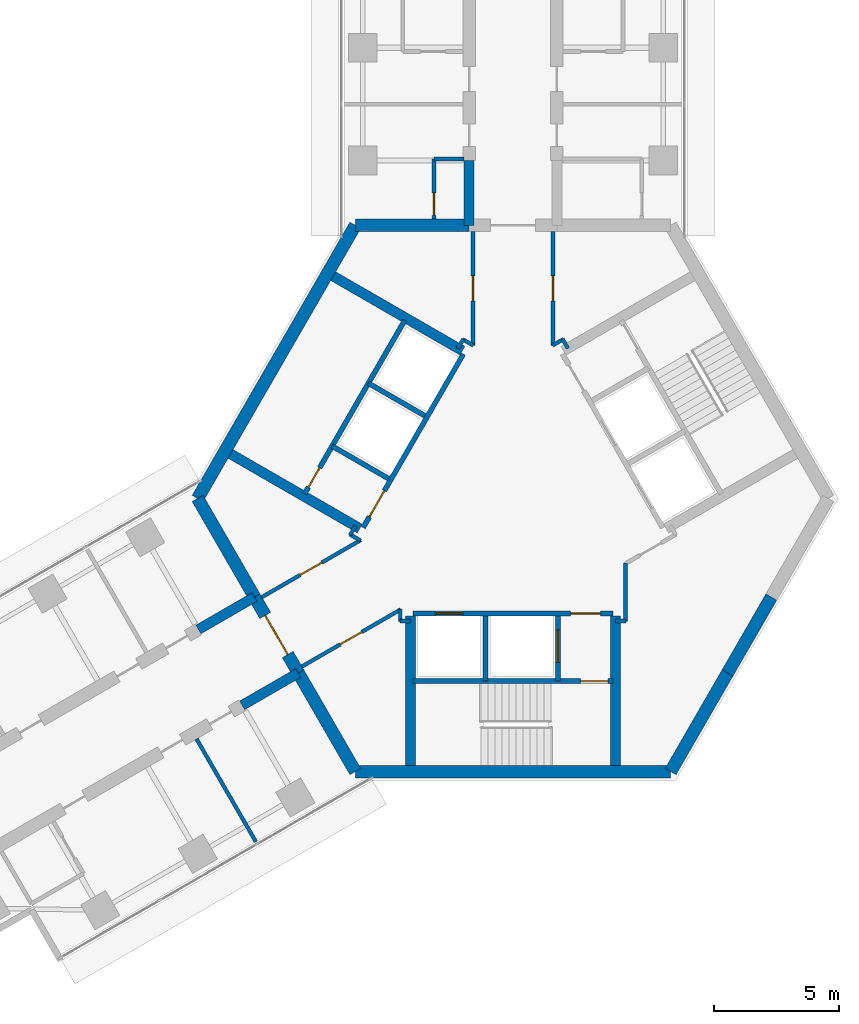
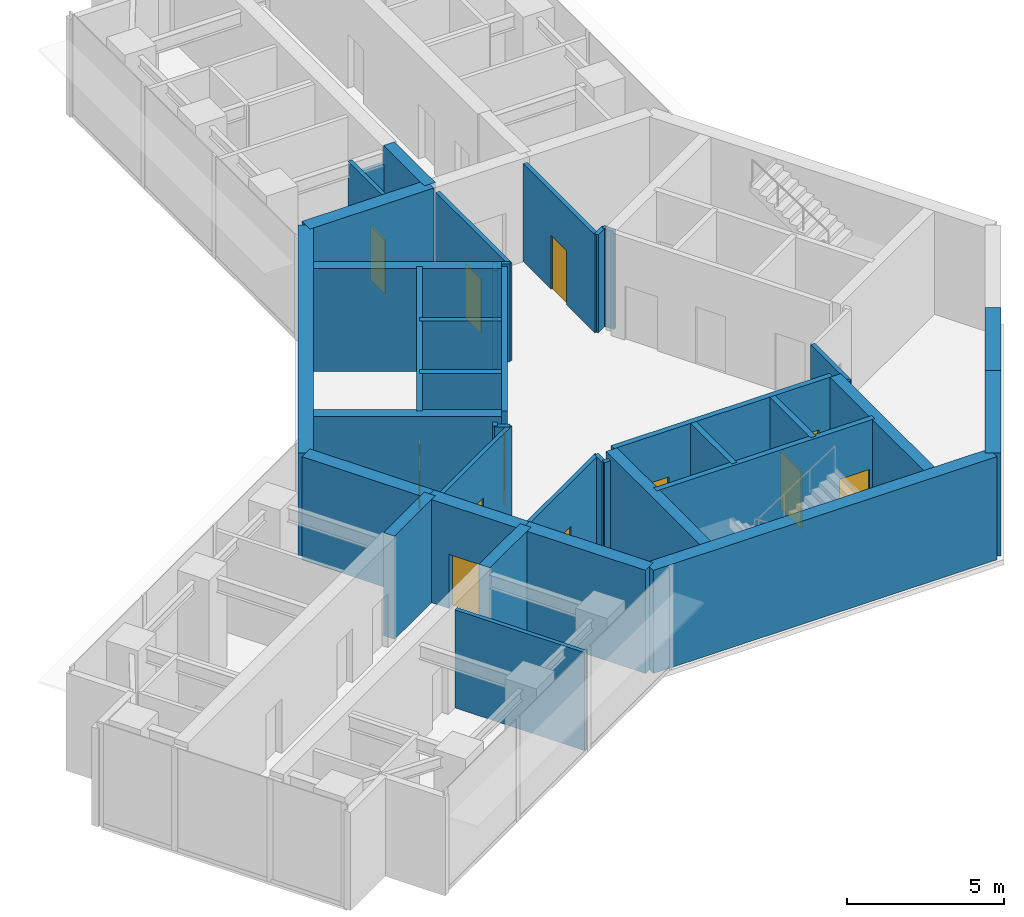
# One storey, part 14 of 17: 40 walls, 12 doors, 12 openings.
"""IFC4 building model written with IfcOpenShell, lengths in metres."""

from ifc_helpers import new_model, si_unit, direction, frame, frame_2d, origin, place, context, subcontext, project, spatial, rectangle, extrude, material, layer, layer_set, type_object, element, fill, save


model = new_model("IFC4")

# Units and contexts
model_context = context("Model", 3, precision=1e-05, world=origin(), true_north=direction((0.0, 1.0)))
body_context = subcontext(model_context, "Body", "Model", "MODEL_VIEW")
ifc_project = project(units=[si_unit("LENGTHUNIT", "METRE"), si_unit("AREAUNIT", "SQUARE_METRE"), si_unit("VOLUMEUNIT", "CUBIC_METRE"), si_unit("PLANEANGLEUNIT", "RADIAN"), si_unit("MASSUNIT", "GRAM", prefix="KILO")], contexts=[model_context])

# Site, building, storey
site_placement = place(None, origin())
site = spatial("IfcSite", under=ifc_project, at=site_placement, CompositionType="ELEMENT")
building_placement = place(site_placement, origin())
building = spatial("IfcBuilding", under=site, at=building_placement, Name="Upepo Twin Towers", CompositionType="ELEMENT")
storey_placement = place(building_placement, frame((0.0, 0.0, 198.5)))
storey = spatial("IfcBuildingStorey", under=building, at=storey_placement, Name="L48", CompositionType="ELEMENT", Elevation=198.5)

# Walls
ifc_material_1 = material(Name="Concrete C60/75", Category="concrete")
ifc_layer_1 = layer(ifc_material_1, 0.39990234375)
ifc_layer_set_1 = layer_set([ifc_layer_1], Name="Concrete C60/75")
wall_type_1 = type_object("IfcWallType", Name="Buttress wall 400 RC", PredefinedType="SHEAR", material=ifc_layer_set_1)
wall_1_placement = place(storey_placement, frame((56.75, -7.091552734375, 0.0), z_axis=(0.0, 0.0, 1.0), x_axis=(0.0, 1.0, 0.0)))
element("IfcWall", 1, at=wall_1_placement, inside=storey, type_object=wall_type_1, Name="T2 wing A buttress wall L", PredefinedType="SHEAR", context=body_context, shape_type="SweptSolid", body=[
    extrude(rectangle(XDim=2.591552734375, YDim=0.39990234375, at=frame_2d((1.2958984375, 0.0))), origin(), (0.0, 0.0, 1.0), 4.0),
])
for number, where, z_axis, x_axis, name in (
    (2, (49.92822265625, -24.9697265625, 0.0), (0.0, 0.0, 1.0), (-0.866031863473, -0.499988811324, 0.0), "T2 wing B buttress wall L"),
    (3, (48.17822265625, -21.938720703125, 0.0), (0.0, 0.0, 1.0), (-0.866072649678, -0.499918158782, 0.0), "T2 wing B buttress wall R"),
):
    element("IfcWall", number, at=place(storey_placement, frame(where, z_axis=z_axis, x_axis=x_axis)), inside=storey, type_object=wall_type_1, Name=name, PredefinedType="SHEAR", context=body_context, shape_type="SweptSolid", body=[
        extrude(rectangle(XDim=2.591796875, YDim=0.39990234375, at=frame_2d((1.2958984375, 0.0))), origin(), (0.0, 0.0, 1.0), 4.0),
    ])
ifc_material_2 = material(Name="Concrete C60/75", Category="concrete")
ifc_layer_2 = layer(ifc_material_2, 0.5)
ifc_layer_set_2 = layer_set([ifc_layer_2], Name="Concrete C60/75")
wall_type_2 = type_object("IfcWallType", Name="Core wall 500 RC", PredefinedType="SHEAR", material=ifc_layer_set_2)
wall_2_placement = place(storey_placement, frame((56.75, -7.091552734375, 0.0), z_axis=(0.0, 0.0, 1.0), x_axis=(-1.0, 0.0, 0.0)))
element("IfcWall", 4, at=wall_2_placement, inside=storey, type_object=wall_type_2, Name="T2 core wall 000 L", PredefinedType="SHEAR", context=body_context, shape_type="SweptSolid", body=[
    extrude(rectangle(XDim=4.5478515625, YDim=0.5, at=frame_2d((2.27392578125, 0.0))), origin(), (0.0, 0.0, 1.0), 4.0),
])
wall_3_placement = place(storey_placement, frame((52.2021484375, -7.091552734375, 0.0), z_axis=(0.0, 0.0, 1.0), x_axis=(-0.500005998175, -0.866021940709, 0.0)))
element("IfcWall", 5, at=wall_3_placement, inside=storey, type_object=wall_type_2, Name="T2 core wall 060", PredefinedType="SHEAR", context=body_context, shape_type="SweptSolid", body=[
    extrude(rectangle(XDim=12.595947265625, YDim=0.5, at=frame_2d((6.2978515625, 0.0))), origin(), (0.0, 0.0, 1.0), 4.0),
])
wall_4_placement = place(storey_placement, frame((45.904052734375, -18.0, 0.0), z_axis=(0.0, 0.0, 1.0), x_axis=(0.500024481964, -0.866011268655, 0.0)))
element("IfcWall", 6, at=wall_4_placement, inside=storey, type_object=wall_type_2, Name="T2 core wall 120 R", PredefinedType="SHEAR", context=body_context, shape_type="SweptSolid", body=[
    extrude(rectangle(XDim=4.548095703125, YDim=0.5, at=frame_2d((2.27392578125, 0.0))), origin(), (0.0, 0.0, 1.0), 4.0),
])

# Wall, opening, door
wall_5_placement = place(storey_placement, frame((48.17822265625, -21.938720703125, 0.0), z_axis=(0.0, 0.0, 1.0), x_axis=(0.500010275428, -0.866019471182, 0.0)))
wall_5 = element("IfcWall", 7, at=wall_5_placement, inside=storey, type_object=wall_type_2, Name="T2 core wall 120", PredefinedType="SHEAR", context=body_context, shape_type="SweptSolid", body=[
    extrude(rectangle(XDim=3.5, YDim=0.5, at=frame_2d((1.75, 0.0))), origin(), (0.0, 0.0, 1.0), 4.0),
])
opening_1_placement = place(wall_5_placement, frame((0.85009765625, 0.0, 0.0)))
opening_1 = element("IfcOpeningElement", 8, at=opening_1_placement, cuts=wall_5, Name="Opening D2", PredefinedType="OPENING", context=body_context, shape_type="SweptSolid", body=[
    extrude(rectangle(XDim=1.800048828125, YDim=2.10009765625, at=frame_2d((0.89990234375, 1.050048828125))), frame((0.0, 0.260009765625, 0.0), z_axis=(0.0, -1.0, 0.0), x_axis=(1.0, 0.0, 0.0)), (0.0, 0.0, 1.0), 0.52001953125),
])
ifc_material_3 = material(Name="Timber doorset", Category="wood")
door_type_1 = type_object("IfcDoorType", Name="Corridor double door 1800 FD60", OperationType="DOUBLE_DOOR_DOUBLE_SWING", PredefinedType="DOOR", material=ifc_material_3)
door_1_placement = place(opening_1_placement, origin())
door_1 = element("IfcDoor", 9, at=door_1_placement, inside=storey, type_object=door_type_1, Name="T2 L48 wing B corridor door", OperationType="DOUBLE_DOOR_DOUBLE_SWING", OverallHeight=2.10009765625, OverallWidth=1.800048828125, PredefinedType="DOOR", context=body_context, shape_type="SweptSolid", body=[
    extrude(rectangle(XDim=1.800048828125, YDim=2.10009765625, at=frame_2d((0.89990234375, 1.050048828125))), frame((0.0, 0.02490234375, 0.0), z_axis=(0.0, -1.0, 0.0), x_axis=(1.0, 0.0, 0.0)), (0.0, 0.0, 1.0), 0.050048828125),
])
fill(opening_1, door_1)

# Walls
wall_6_placement = place(storey_placement, frame((49.92822265625, -24.9697265625, 0.0), z_axis=(0.0, 0.0, 1.0), x_axis=(0.499984222037, -0.866034513004, 0.0)))
element("IfcWall", 10, at=wall_6_placement, inside=storey, type_object=wall_type_2, Name="T2 core wall 120 L", PredefinedType="SHEAR", context=body_context, shape_type="SweptSolid", body=[
    extrude(rectangle(XDim=4.548095703125, YDim=0.5, at=frame_2d((2.27392578125, 0.0))), origin(), (0.0, 0.0, 1.0), 4.0),
])
wall_7_placement = place(storey_placement, frame((52.2021484375, -28.908447265625, 0.0), z_axis=(0.0, 0.0, 1.0), x_axis=(1.0, 0.0, 0.0)))
element("IfcWall", 11, at=wall_7_placement, inside=storey, type_object=wall_type_2, Name="T2 core wall 180", PredefinedType="SHEAR", context=body_context, shape_type="SweptSolid", body=[
    extrude(rectangle(XDim=12.595703125, YDim=0.5, at=frame_2d((6.2978515625, 0.0))), origin(), (0.0, 0.0, 1.0), 4.0),
])
wall_8_placement = place(storey_placement, frame((64.7978515625, -28.908447265625, 0.0), z_axis=(0.0, 0.0, 1.0), x_axis=(0.499984222037, 0.866034513004, 0.0)))
element("IfcWall", 12, at=wall_8_placement, inside=storey, type_object=wall_type_2, Name="T2 core wall 240 R", PredefinedType="SHEAR", context=body_context, shape_type="SweptSolid", body=[
    extrude(rectangle(XDim=4.548095703125, YDim=0.5, at=frame_2d((2.27392578125, 0.0))), origin(), (0.0, 0.0, 1.0), 4.0),
])
wall_9_placement = place(storey_placement, frame((67.07177734375, -24.9697265625, 0.0), z_axis=(0.0, 0.0, 1.0), x_axis=(0.500010275428, 0.866019471182, 0.0)))
element("IfcWall", 13, at=wall_9_placement, inside=storey, type_object=wall_type_2, Name="T2 core wall 240", PredefinedType="SHEAR", context=body_context, shape_type="SweptSolid", body=[
    extrude(rectangle(XDim=3.5, YDim=0.5, at=frame_2d((1.75, 0.0))), origin(), (0.0, 0.0, 1.0), 4.0),
])

# Wall, opening, door
ifc_material_4 = material(Name="Concrete C40/50", Category="concrete")
ifc_layer_3 = layer(ifc_material_4, 0.199951171875)
ifc_layer_set_3 = layer_set([ifc_layer_3], Name="Concrete C40/50")
wall_type_3 = type_object("IfcWallType", Name="Shaft wall 200 RC", PredefinedType="SHEAR", material=ifc_layer_set_3)
wall_10_placement = place(storey_placement, frame((56.516357421875, -12.23583984375, 0.0), z_axis=(0.0, 0.0, 1.0), x_axis=(-0.49999894854, -0.866026010844, 0.0)))
wall_10 = element("IfcWall", 14, at=wall_10_placement, inside=storey, type_object=wall_type_3, Name="T2 core W60 front wall", PredefinedType="SHEAR", context=body_context, shape_type="SweptSolid", body=[
    extrude(rectangle(XDim=8.0, YDim=0.199951171875, at=frame_2d((4.0, 0.0))), origin(), (0.0, 0.0, 1.0), 4.0),
])
opening_2_placement = place(wall_10_placement, frame((6.300048828125, 0.0, 0.0)))
opening_2 = element("IfcOpeningElement", 15, at=opening_2_placement, cuts=wall_10, Name="Opening D4", PredefinedType="OPENING", context=body_context, shape_type="SweptSolid", body=[
    extrude(rectangle(XDim=1.199951171875, YDim=2.10009765625, at=frame_2d((0.60009765625, 1.050048828125))), frame((0.0, 0.10986328125, 0.0), z_axis=(0.0, -1.0, 0.0), x_axis=(1.0, 0.0, 0.0)), (0.0, 0.0, 1.0), 0.219970703125),
])
ifc_material_5 = material(Name="Timber doorset", Category="wood")
door_type_2 = type_object("IfcDoorType", Name="Lobby door 1200 FD60", OperationType="SINGLE_SWING_LEFT", PredefinedType="DOOR", material=ifc_material_5)
door_2_placement = place(opening_2_placement, origin())
door_2 = element("IfcDoor", 16, at=door_2_placement, inside=storey, type_object=door_type_2, Name="T2 L48 W60 lobby door", OperationType="SINGLE_SWING_RIGHT", OverallHeight=2.10009765625, OverallWidth=1.199951171875, PredefinedType="DOOR", context=body_context, shape_type="SweptSolid", body=[
    extrude(rectangle(XDim=1.199951171875, YDim=2.10009765625, at=frame_2d((0.60009765625, 1.050048828125))), frame((0.0, 0.02490234375, 0.0), z_axis=(0.0, -1.0, 0.0), x_axis=(1.0, 0.0, 0.0)), (0.0, 0.0, 1.0), 0.050048828125),
])
fill(opening_2, door_2)

# Walls
for number, where, z_axis, x_axis, name in (
    (17, (54.979736328125, -14.697265625, 0.0), (0.0, 0.0, 1.0), (-0.866062058628, 0.499936506574, 0.0), "T2 core W60 shaft divider"),
    (18, (53.52978515625, -17.208740234375, 0.0), (0.0, 0.0, 1.0), (-0.866062058628, 0.499936506574, 0.0), "T2 core W60 lobby wall"),
):
    element("IfcWall", number, at=place(storey_placement, frame(where, z_axis=z_axis, x_axis=x_axis)), inside=storey, type_object=wall_type_3, Name=name, PredefinedType="SHEAR", context=body_context, shape_type="SweptSolid", body=[
        extrude(rectangle(XDim=2.599853515625, YDim=0.199951171875, at=frame_2d((1.2998046875, 0.0))), origin(), (0.0, 0.0, 1.0), 4.0),
    ])

# Wall, opening, door
wall_11_placement = place(storey_placement, frame((54.177978515625, -10.885986328125, 0.0), z_axis=(0.0, 0.0, 1.0), x_axis=(-0.49999894854, -0.866026010844, 0.0)))
wall_11 = element("IfcWall", 19, at=wall_11_placement, inside=storey, type_object=wall_type_3, Name="T2 core W60 stair wall", PredefinedType="SHEAR", context=body_context, shape_type="SweptSolid", body=[
    extrude(rectangle(XDim=8.0, YDim=0.199951171875, at=frame_2d((4.0, 0.0))), origin(), (0.0, 0.0, 1.0), 4.0),
])
opening_3_placement = place(wall_11_placement, frame((6.800048828125, 0.0, 0.0)))
opening_3 = element("IfcOpeningElement", 20, at=opening_3_placement, cuts=wall_11, Name="Opening D9", PredefinedType="OPENING", context=body_context, shape_type="SweptSolid", body=[
    extrude(rectangle(XDim=0.89990234375, YDim=2.10009765625, at=frame_2d((0.449951171875, 1.050048828125))), frame((0.0, 0.10986328125, 0.0), z_axis=(0.0, -1.0, 0.0), x_axis=(1.0, 0.0, 0.0)), (0.0, 0.0, 1.0), 0.219970703125),
])
ifc_material_6 = material(Name="Timber doorset", Category="wood")
door_type_3 = type_object("IfcDoorType", Name="Riser door 900 FD60", OperationType="SINGLE_SWING_LEFT", PredefinedType="DOOR", material=ifc_material_6)
door_3_placement = place(opening_3_placement, origin())
door_3 = element("IfcDoor", 21, at=door_3_placement, inside=storey, type_object=door_type_3, Name="T2 L48 riser door", OperationType="SINGLE_SWING_RIGHT", OverallHeight=2.10009765625, OverallWidth=0.89990234375, PredefinedType="DOOR", context=body_context, shape_type="SweptSolid", body=[
    extrude(rectangle(XDim=0.89990234375, YDim=2.10009765625, at=frame_2d((0.449951171875, 1.050048828125))), frame((0.0, 0.02490234375, 0.0), z_axis=(0.0, -1.0, 0.0), x_axis=(1.0, 0.0, 0.0)), (0.0, 0.0, 1.0), 0.050048828125),
])
fill(opening_3, door_3)

# Wall, openings, doors
wall_12_placement = place(storey_placement, frame((54.5, -22.60009765625, 0.0), z_axis=(0.0, 0.0, 1.0), x_axis=(1.0, 0.0, 0.0)))
wall_12 = element("IfcWall", 22, at=wall_12_placement, inside=storey, type_object=wall_type_3, Name="T2 core W180 front wall", PredefinedType="SHEAR", context=body_context, shape_type="SweptSolid", body=[
    extrude(rectangle(XDim=8.0, YDim=0.199951171875, at=frame_2d((4.0, 0.0))), origin(), (0.0, 0.0, 1.0), 4.0),
])
opening_4_placement = place(wall_12_placement, frame((6.300048828125, 0.0, 0.0)))
opening_4 = element("IfcOpeningElement", 23, at=opening_4_placement, cuts=wall_12, Name="Opening D4", PredefinedType="OPENING", context=body_context, shape_type="SweptSolid", body=[
    extrude(rectangle(XDim=1.199951171875, YDim=2.10009765625, at=frame_2d((0.60009765625, 1.050048828125))), frame((0.0, 0.10986328125, 0.0), z_axis=(0.0, -1.0, 0.0), x_axis=(1.0, 0.0, 0.0)), (0.0, 0.0, 1.0), 0.219970703125),
])
opening_5_placement = place(wall_12_placement, frame((0.89990234375, 0.0, 0.0)))
opening_5 = element("IfcOpeningElement", 24, at=opening_5_placement, cuts=wall_12, Name="Opening LD1", PredefinedType="OPENING", context=body_context, shape_type="SweptSolid", body=[
    extrude(rectangle(XDim=1.10009765625, YDim=2.199951171875, at=frame_2d((0.550048828125, 1.10009765625))), frame((0.0, 0.10986328125, 0.0), z_axis=(0.0, -1.0, 0.0), x_axis=(1.0, 0.0, 0.0)), (0.0, 0.0, 1.0), 0.219970703125),
])
ifc_material_7 = material(Name="Steel doorset", Category="steel")
door_type_4 = type_object("IfcDoorType", Name="Lift landing door 1100", OperationType="DOUBLE_DOOR_SLIDING", PredefinedType="DOOR", material=ifc_material_7)
door_4_placement = place(opening_5_placement, origin())
door_4 = element("IfcDoor", 25, at=door_4_placement, inside=storey, type_object=door_type_4, Name="T2 L48 lift SV1 landing door", OperationType="DOUBLE_DOOR_SLIDING", OverallHeight=2.199951171875, OverallWidth=1.10009765625, PredefinedType="DOOR", context=body_context, shape_type="SweptSolid", body=[
    extrude(rectangle(XDim=1.10009765625, YDim=2.199951171875, at=frame_2d((0.550048828125, 1.10009765625))), frame((0.0, 0.02490234375, 0.0), z_axis=(0.0, -1.0, 0.0), x_axis=(1.0, 0.0, 0.0)), (0.0, 0.0, 1.0), 0.050048828125),
])
fill(opening_5, door_4)
door_5_placement = place(opening_4_placement, origin())
door_5 = element("IfcDoor", 26, at=door_5_placement, inside=storey, type_object=door_type_2, Name="T2 L48 W180 lobby door", OperationType="SINGLE_SWING_RIGHT", OverallHeight=2.10009765625, OverallWidth=1.199951171875, PredefinedType="DOOR", context=body_context, shape_type="SweptSolid", body=[
    extrude(rectangle(XDim=1.199951171875, YDim=2.10009765625, at=frame_2d((0.60009765625, 1.050048828125))), frame((0.0, 0.02490234375, 0.0), z_axis=(0.0, -1.0, 0.0), x_axis=(1.0, 0.0, 0.0)), (0.0, 0.0, 1.0), 0.050048828125),
])
fill(opening_4, door_5)

# Wall
wall_13_placement = place(storey_placement, frame((57.39990234375, -22.699951171875, 0.0), z_axis=(0.0, 0.0, 1.0), x_axis=(0.0, -1.0, 0.0)))
element("IfcWall", 27, at=wall_13_placement, inside=storey, type_object=wall_type_3, Name="T2 core W180 shaft divider", PredefinedType="SHEAR", context=body_context, shape_type="SweptSolid", body=[
    extrude(rectangle(XDim=2.60009765625, YDim=0.199951171875, at=frame_2d((1.300048828125, 0.0))), origin(), (0.0, 0.0, 1.0), 4.0),
])

# Wall, opening, door
wall_14_placement = place(storey_placement, frame((60.300048828125, -22.699951171875, 0.0), z_axis=(0.0, 0.0, 1.0), x_axis=(0.0, -1.0, 0.0)))
wall_14 = element("IfcWall", 28, at=wall_14_placement, inside=storey, type_object=wall_type_3, Name="T2 core W180 lobby wall", PredefinedType="SHEAR", context=body_context, shape_type="SweptSolid", body=[
    extrude(rectangle(XDim=2.60009765625, YDim=0.199951171875, at=frame_2d((1.300048828125, 0.0))), origin(), (0.0, 0.0, 1.0), 4.0),
])
opening_6_placement = place(wall_14_placement, frame((0.550048828125, 0.0, 0.0)))
opening_6 = element("IfcOpeningElement", 29, at=opening_6_placement, cuts=wall_14, Name="Opening LD2", PredefinedType="OPENING", context=body_context, shape_type="SweptSolid", body=[
    extrude(rectangle(XDim=1.300048828125, YDim=2.199951171875, at=frame_2d((0.64990234375, 1.10009765625))), frame((0.0, 0.10986328125, 0.0), z_axis=(0.0, -1.0, 0.0), x_axis=(1.0, 0.0, 0.0)), (0.0, 0.0, 1.0), 0.219970703125),
])
ifc_material_8 = material(Name="Steel doorset", Category="steel")
door_type_5 = type_object("IfcDoorType", Name="Firefighting lift landing door 1300", OperationType="DOUBLE_DOOR_SLIDING", PredefinedType="DOOR", material=ifc_material_8)
door_6_placement = place(opening_6_placement, origin())
door_6 = element("IfcDoor", 30, at=door_6_placement, inside=storey, type_object=door_type_5, Name="T2 L48 firefighting lift landing door", OperationType="DOUBLE_DOOR_SLIDING", OverallHeight=2.199951171875, OverallWidth=1.300048828125, PredefinedType="DOOR", context=body_context, shape_type="SweptSolid", body=[
    extrude(rectangle(XDim=1.300048828125, YDim=2.199951171875, at=frame_2d((0.64990234375, 1.10009765625))), frame((0.0, 0.02490234375, 0.0), z_axis=(0.0, -1.0, 0.0), x_axis=(1.0, 0.0, 0.0)), (0.0, 0.0, 1.0), 0.050048828125),
])
fill(opening_6, door_6)

wall_15_placement = place(storey_placement, frame((54.5, -25.300048828125, 0.0), z_axis=(0.0, 0.0, 1.0), x_axis=(1.0, 0.0, 0.0)))
wall_15 = element("IfcWall", 31, at=wall_15_placement, inside=storey, type_object=wall_type_3, Name="T2 core W180 stair wall", PredefinedType="SHEAR", context=body_context, shape_type="SweptSolid", body=[
    extrude(rectangle(XDim=8.0, YDim=0.199951171875, at=frame_2d((4.0, 0.0))), origin(), (0.0, 0.0, 1.0), 4.0),
])
opening_7_placement = place(wall_15_placement, frame((6.699951171875, 0.0, 0.0)))
opening_7 = element("IfcOpeningElement", 32, at=opening_7_placement, cuts=wall_15, Name="Opening D3", PredefinedType="OPENING", context=body_context, shape_type="SweptSolid", body=[
    extrude(rectangle(XDim=1.10009765625, YDim=2.10009765625, at=frame_2d((0.550048828125, 1.050048828125))), frame((0.0, 0.10986328125, 0.0), z_axis=(0.0, -1.0, 0.0), x_axis=(1.0, 0.0, 0.0)), (0.0, 0.0, 1.0), 0.219970703125),
])
ifc_material_9 = material(Name="Timber doorset", Category="wood")
door_type_6 = type_object("IfcDoorType", Name="Stair door 1100 FD60", OperationType="SINGLE_SWING_LEFT", PredefinedType="DOOR", material=ifc_material_9)
door_7_placement = place(opening_7_placement, origin())
door_7 = element("IfcDoor", 33, at=door_7_placement, inside=storey, type_object=door_type_6, Name="T2 L48 stair door", OperationType="SINGLE_SWING_RIGHT", OverallHeight=2.10009765625, OverallWidth=1.10009765625, PredefinedType="DOOR", context=body_context, shape_type="SweptSolid", body=[
    extrude(rectangle(XDim=1.10009765625, YDim=2.10009765625, at=frame_2d((0.550048828125, 1.050048828125))), frame((0.0, 0.02490234375, 0.0), z_axis=(0.0, -1.0, 0.0), x_axis=(1.0, 0.0, 0.0)), (0.0, 0.0, 1.0), 0.050048828125),
])
fill(opening_7, door_7)

# Walls
ifc_material_10 = material(Name="Concrete C40/50", Category="concrete")
ifc_layer_4 = layer(ifc_material_10, 0.39990234375)
ifc_layer_set_4 = layer_set([ifc_layer_4], Name="Concrete C40/50")
wall_type_4 = type_object("IfcWallType", Name="Shaft wall 400 RC", PredefinedType="SHEAR", material=ifc_layer_set_4)
wall_16_placement = place(storey_placement, frame((52.379638671875, -19.20068359375, 0.0), z_axis=(0.0, 0.0, 1.0), x_axis=(-0.866012946976, 0.500021575205, 0.0)))
element("IfcWall", 34, at=wall_16_placement, inside=storey, type_object=wall_type_4, Name="T2 core W60 side wall N", PredefinedType="SHEAR", context=body_context, shape_type="SweptSolid", body=[
    extrude(rectangle(XDim=5.958251953125, YDim=0.39990234375, at=frame_2d((2.97900390625, 0.0))), origin(), (0.0, 0.0, 1.0), 4.0),
])
for number, where, z_axis, x_axis, name in (
    (35, (56.479736328125, -12.099365234375, 0.0), (0.0, 0.0, 1.0), (-0.86602319114, 0.500003832394, 0.0), "T2 core W60 side wall S"),
    (36, (62.60009765625, -22.699951171875, 0.0), (0.0, 0.0, 1.0), (0.0, -1.0, 0.0), "T2 core W180 side wall N"),
    (37, (54.39990234375, -22.699951171875, 0.0), (0.0, 0.0, 1.0), (0.0, -1.0, 0.0), "T2 core W180 side wall S"),
):
    element("IfcWall", number, at=place(storey_placement, frame(where, z_axis=z_axis, x_axis=x_axis)), inside=storey, type_object=wall_type_4, Name=name, PredefinedType="SHEAR", context=body_context, shape_type="SweptSolid", body=[
        extrude(rectangle(XDim=5.95849609375, YDim=0.39990234375, at=frame_2d((2.979248046875, 0.0))), origin(), (0.0, 0.0, 1.0), 4.0),
    ])

# Wall, opening, door
ifc_material_11 = material(Name="Gypsum board on steel studs", Category="steel")
ifc_layer_5 = layer(ifc_material_11, 0.14990234375)
ifc_layer_set_5 = layer_set([ifc_layer_5], Name="Teaching partition 150 acoustic")
wall_type_5 = type_object("IfcWallType", Name="Teaching partition 150 acoustic", PredefinedType="PARTITIONING", material=ifc_layer_set_5)
wall_17_placement = place(storey_placement, frame((55.35009765625, -6.842041015625, 0.0), z_axis=(0.0, 0.0, 1.0), x_axis=(0.0, 1.0, 0.0)))
wall_17 = element("IfcWall", 38, at=wall_17_placement, inside=storey, type_object=wall_type_5, Name="T2 WC bay partition AL at 11.16", PredefinedType="PARTITIONING", context=body_context, shape_type="SweptSolid", body=[
    extrude(rectangle(XDim=2.400146484375, YDim=0.14990234375, at=frame_2d((1.2001953125, 0.0))), origin(), (0.0, 0.0, 1.0), 3.800048828125),
])
opening_8_placement = place(wall_17_placement, frame((0.14990234375, 0.0, 0.0)))
opening_8 = element("IfcOpeningElement", 39, at=opening_8_placement, cuts=wall_17, Name="Opening D14", PredefinedType="OPENING", context=body_context, shape_type="SweptSolid", body=[
    extrude(rectangle(XDim=0.89990234375, YDim=2.10009765625, at=frame_2d((0.449951171875, 1.050048828125))), frame((0.0, 0.0849609375, 0.0), z_axis=(0.0, -1.0, 0.0), x_axis=(1.0, 0.0, 0.0)), (0.0, 0.0, 1.0), 0.169921875),
])
ifc_material_12 = material(Name="Timber doorset", Category="wood")
door_type_7 = type_object("IfcDoorType", Name="Office door 900 FD30", OperationType="SINGLE_SWING_LEFT", PredefinedType="DOOR", material=ifc_material_12)
door_8_placement = place(opening_8_placement, origin())
door_8 = element("IfcDoor", 40, at=door_8_placement, inside=storey, type_object=door_type_7, Name="T2 L48 WC bay inner room door", OperationType="SINGLE_SWING_LEFT", OverallHeight=2.10009765625, OverallWidth=0.89990234375, PredefinedType="DOOR", context=body_context, shape_type="SweptSolid", body=[
    extrude(rectangle(XDim=0.89990234375, YDim=2.10009765625, at=frame_2d((0.449951171875, 1.050048828125))), frame((0.0, 0.02490234375, 0.0), z_axis=(0.0, -1.0, 0.0), x_axis=(1.0, 0.0, 0.0)), (0.0, 0.0, 1.0), 0.050048828125),
])
fill(opening_8, door_8)

# Walls
wall_18_placement = place(storey_placement, frame((56.550048828125, -4.44189453125, 0.0), z_axis=(0.0, 0.0, 1.0), x_axis=(-1.0, 0.0, 0.0)))
element("IfcWall", 41, at=wall_18_placement, inside=storey, type_object=wall_type_5, Name="T2 WC bay partition AL end at 13.56", PredefinedType="PARTITIONING", context=body_context, shape_type="SweptSolid", body=[
    extrude(rectangle(XDim=1.199951171875, YDim=0.14990234375, at=frame_2d((0.60009765625, 0.0))), origin(), (0.0, 0.0, 1.0), 3.266845703125),
])
wall_19_placement = place(storey_placement, frame((45.860107421875, -27.60693359375, 0.0), z_axis=(0.0, 0.0, 1.0), x_axis=(0.499986429846, -0.866033238375, 0.0)))
element("IfcWall", 42, at=wall_19_placement, inside=storey, type_object=wall_type_5, Name="T2 partition BL at 15.75", PredefinedType="PARTITIONING", context=body_context, shape_type="SweptSolid", body=[
    extrude(rectangle(XDim=4.750244140625, YDim=0.14990234375, at=frame_2d((2.375, 0.0))), origin(), (0.0, 0.0, 1.0), 3.800048828125),
])
for number, where, z_axis, x_axis, name in (
    (43, (63.02001953125, -22.89990234375, 0.0), (0.0, 0.0, 1.0), (-1.0, 0.0, 0.0), "T2 core room partition 1"),
    (44, (54.409912109375, -22.89990234375, 0.0), (0.0, 0.0, 1.0), (-1.0, 0.0, 0.0), "T2 core room partition 2"),
):
    element("IfcWall", number, at=place(storey_placement, frame(where, z_axis=z_axis, x_axis=x_axis)), inside=storey, type_object=wall_type_5, Name=name, PredefinedType="PARTITIONING", context=body_context, shape_type="SweptSolid", body=[
        extrude(rectangle(XDim=0.429931640625, YDim=0.14990234375, at=frame_2d((0.21484375, 0.0))), origin(), (0.0, 0.0, 1.0), 3.800048828125),
    ])
wall_20_placement = place(storey_placement, frame((54.0, -22.919921875, 0.0), z_axis=(0.0, 0.0, 1.0), x_axis=(0.0, 1.0, 0.0)))
element("IfcWall", 45, at=wall_20_placement, inside=storey, type_object=wall_type_5, Name="T2 core room partition 3", PredefinedType="PARTITIONING", context=body_context, shape_type="SweptSolid", body=[
    extrude(rectangle(XDim=0.494384765625, YDim=0.14990234375, at=frame_2d((0.2470703125, 0.0))), origin(), (0.0, 0.0, 1.0), 3.800048828125),
])

# Wall, opening, door
wall_21_placement = place(storey_placement, frame((54.017333984375, -22.435546875, 0.0), z_axis=(0.0, 0.0, 1.0), x_axis=(-0.866024503882, -0.500001558674, 0.0)))
wall_21 = element("IfcWall", 46, at=wall_21_placement, inside=storey, type_object=wall_type_5, Name="T2 core room partition 4", PredefinedType="PARTITIONING", context=body_context, shape_type="SweptSolid", body=[
    extrude(rectangle(XDim=4.568359375, YDim=0.14990234375, at=frame_2d((2.2841796875, 0.0))), origin(), (0.0, 0.0, 1.0), 3.800048828125),
])
opening_9_placement = place(wall_21_placement, frame((1.794189453125, 0.0, 0.0)))
opening_9 = element("IfcOpeningElement", 47, at=opening_9_placement, cuts=wall_21, Name="Opening D1", PredefinedType="OPENING", context=body_context, shape_type="SweptSolid", body=[
    extrude(rectangle(XDim=1.0, YDim=2.10009765625, at=frame_2d((0.5, 1.050048828125))), frame((0.0, 0.0849609375, 0.0), z_axis=(0.0, -1.0, 0.0), x_axis=(1.0, 0.0, 0.0)), (0.0, 0.0, 1.0), 0.169921875),
])
ifc_material_13 = material(Name="Timber doorset", Category="wood")
door_type_8 = type_object("IfcDoorType", Name="Room door 1000 FD30", OperationType="SINGLE_SWING_LEFT", PredefinedType="DOOR", material=ifc_material_13)
door_9_placement = place(opening_9_placement, origin())
door_9 = element("IfcDoor", 48, at=door_9_placement, inside=storey, type_object=door_type_8, Name="T2 L48 core room door K2", OperationType="SINGLE_SWING_RIGHT", OverallHeight=2.10009765625, OverallWidth=1.0, PredefinedType="DOOR", context=body_context, shape_type="SweptSolid", body=[
    extrude(rectangle(XDim=1.0, YDim=2.10009765625, at=frame_2d((0.5, 1.050048828125))), frame((0.0, 0.02490234375, 0.0), z_axis=(0.0, -1.0, 0.0), x_axis=(1.0, 0.0, 0.0)), (0.0, 0.0, 1.0), 0.050048828125),
])
fill(opening_9, door_9)

wall_22_placement = place(storey_placement, frame((48.4609375, -21.948486328125, 0.0), z_axis=(0.0, 0.0, 1.0), x_axis=(0.866024503882, 0.500001558674, 0.0)))
wall_22 = element("IfcWall", 49, at=wall_22_placement, inside=storey, type_object=wall_type_5, Name="T2 core room partition 5", PredefinedType="PARTITIONING", context=body_context, shape_type="SweptSolid", body=[
    extrude(rectangle(XDim=4.568359375, YDim=0.14990234375, at=frame_2d((2.2841796875, 0.0))), origin(), (0.0, 0.0, 1.0), 3.800048828125),
])
opening_10_placement = place(wall_22_placement, frame((1.774169921875, 0.0, 0.0)))
opening_10 = element("IfcOpeningElement", 50, at=opening_10_placement, cuts=wall_22, Name="Opening D1", PredefinedType="OPENING", context=body_context, shape_type="SweptSolid", body=[
    extrude(rectangle(XDim=1.0, YDim=2.10009765625, at=frame_2d((0.5, 1.050048828125))), frame((0.0, 0.0849609375, 0.0), z_axis=(0.0, -1.0, 0.0), x_axis=(1.0, 0.0, 0.0)), (0.0, 0.0, 1.0), 0.169921875),
])
door_10_placement = place(opening_10_placement, origin())
door_10 = element("IfcDoor", 51, at=door_10_placement, inside=storey, type_object=door_type_8, Name="T2 L48 core room door K1", OperationType="SINGLE_SWING_LEFT", OverallHeight=2.10009765625, OverallWidth=1.0, PredefinedType="DOOR", context=body_context, shape_type="SweptSolid", body=[
    extrude(rectangle(XDim=1.0, YDim=2.10009765625, at=frame_2d((0.5, 1.050048828125))), frame((0.0, 0.02490234375, 0.0), z_axis=(0.0, -1.0, 0.0), x_axis=(1.0, 0.0, 0.0)), (0.0, 0.0, 1.0), 0.050048828125),
])
fill(opening_10, door_10)

# Walls
wall_23_placement = place(storey_placement, frame((52.417236328125, -19.684326171875, 0.0), z_axis=(0.0, 0.0, 1.0), x_axis=(-0.865831790172, 0.50033519877, 0.0)))
element("IfcWall", 52, at=wall_23_placement, inside=storey, type_object=wall_type_5, Name="T2 core room partition 6", PredefinedType="PARTITIONING", context=body_context, shape_type="SweptSolid", body=[
    extrude(rectangle(XDim=0.494384765625, YDim=0.14990234375, at=frame_2d((0.2470703125, 0.0))), origin(), (0.0, 0.0, 1.0), 3.800048828125),
])
for number, where, z_axis, x_axis, name in (
    (53, (51.99658203125, -19.46435546875, 0.0), (0.0, 0.0, 1.0), (0.499804398801, 0.866138304741, 0.0), "T2 core room partition 7"),
    (54, (56.301513671875, -12.0078125, 0.0), (0.0, 0.0, 1.0), (0.500230298122, 0.865892400268, 0.0), "T2 core room partition 8"),
):
    element("IfcWall", number, at=place(storey_placement, frame(where, z_axis=z_axis, x_axis=x_axis)), inside=storey, type_object=wall_type_5, Name=name, PredefinedType="PARTITIONING", context=body_context, shape_type="SweptSolid", body=[
        extrude(rectangle(XDim=0.429931640625, YDim=0.14990234375, at=frame_2d((0.21484375, 0.0))), origin(), (0.0, 0.0, 1.0), 3.800048828125),
    ])
wall_24_placement = place(storey_placement, frame((56.4892578125, -11.642822265625, 0.0), z_axis=(0.0, 0.0, 1.0), x_axis=(0.865831790172, -0.50033519877, 0.0)))
element("IfcWall", 55, at=wall_24_placement, inside=storey, type_object=wall_type_5, Name="T2 core room partition 9", PredefinedType="PARTITIONING", context=body_context, shape_type="SweptSolid", body=[
    extrude(rectangle(XDim=0.494384765625, YDim=0.14990234375, at=frame_2d((0.2470703125, 0.0))), origin(), (0.0, 0.0, 1.0), 3.800048828125),
])

# Wall, opening, door
wall_25_placement = place(storey_placement, frame((56.89990234375, -11.900146484375, 0.0), z_axis=(0.0, 0.0, 1.0), x_axis=(0.0, 1.0, 0.0)))
wall_25 = element("IfcWall", 56, at=wall_25_placement, inside=storey, type_object=wall_type_5, Name="T2 core room partition 10", PredefinedType="PARTITIONING", context=body_context, shape_type="SweptSolid", body=[
    extrude(rectangle(XDim=4.568359375, YDim=0.14990234375, at=frame_2d((2.2841796875, 0.0))), origin(), (0.0, 0.0, 1.0), 3.800048828125),
])
opening_11_placement = place(wall_25_placement, frame((1.79443359375, 0.0, 0.0)))
opening_11 = element("IfcOpeningElement", 57, at=opening_11_placement, cuts=wall_25, Name="Opening D1", PredefinedType="OPENING", context=body_context, shape_type="SweptSolid", body=[
    extrude(rectangle(XDim=1.0, YDim=2.10009765625, at=frame_2d((0.5, 1.050048828125))), frame((0.0, 0.0849609375, 0.0), z_axis=(0.0, -1.0, 0.0), x_axis=(1.0, 0.0, 0.0)), (0.0, 0.0, 1.0), 0.169921875),
])
door_11_placement = place(opening_11_placement, origin())
door_11 = element("IfcDoor", 58, at=door_11_placement, inside=storey, type_object=door_type_8, Name="T2 L48 core room door K5", OperationType="SINGLE_SWING_RIGHT", OverallHeight=2.10009765625, OverallWidth=1.0, PredefinedType="DOOR", context=body_context, shape_type="SweptSolid", body=[
    extrude(rectangle(XDim=1.0, YDim=2.10009765625, at=frame_2d((0.5, 1.050048828125))), frame((0.0, 0.02490234375, 0.0), z_axis=(0.0, -1.0, 0.0), x_axis=(1.0, 0.0, 0.0)), (0.0, 0.0, 1.0), 0.050048828125),
])
fill(opening_11, door_11)

wall_26_placement = place(storey_placement, frame((60.10009765625, -7.331787109375, 0.0), z_axis=(0.0, 0.0, 1.0), x_axis=(0.0, -1.0, 0.0)))
wall_26 = element("IfcWall", 59, at=wall_26_placement, inside=storey, type_object=wall_type_5, Name="T2 core room partition 11", PredefinedType="PARTITIONING", context=body_context, shape_type="SweptSolid", body=[
    extrude(rectangle(XDim=4.568359375, YDim=0.14990234375, at=frame_2d((2.2841796875, 0.0))), origin(), (0.0, 0.0, 1.0), 3.800048828125),
])
opening_12_placement = place(wall_26_placement, frame((1.774169921875, 0.0, 0.0)))
opening_12 = element("IfcOpeningElement", 60, at=opening_12_placement, cuts=wall_26, Name="Opening D1", PredefinedType="OPENING", context=body_context, shape_type="SweptSolid", body=[
    extrude(rectangle(XDim=1.0, YDim=2.10009765625, at=frame_2d((0.5, 1.050048828125))), frame((0.0, 0.0849609375, 0.0), z_axis=(0.0, -1.0, 0.0), x_axis=(1.0, 0.0, 0.0)), (0.0, 0.0, 1.0), 0.169921875),
])
door_12_placement = place(opening_12_placement, origin())
door_12 = element("IfcDoor", 61, at=door_12_placement, inside=storey, type_object=door_type_8, Name="T2 L48 core room door K4", OperationType="SINGLE_SWING_LEFT", OverallHeight=2.10009765625, OverallWidth=1.0, PredefinedType="DOOR", context=body_context, shape_type="SweptSolid", body=[
    extrude(rectangle(XDim=1.0, YDim=2.10009765625, at=frame_2d((0.5, 1.050048828125))), frame((0.0, 0.02490234375, 0.0), z_axis=(0.0, -1.0, 0.0), x_axis=(1.0, 0.0, 0.0)), (0.0, 0.0, 1.0), 0.050048828125),
])
fill(opening_12, door_12)

# Walls
wall_27_placement = place(storey_placement, frame((60.082763671875, -11.89013671875, 0.0), z_axis=(0.0, 0.0, 1.0), x_axis=(0.865831790172, 0.50033519877, 0.0)))
element("IfcWall", 62, at=wall_27_placement, inside=storey, type_object=wall_type_5, Name="T2 core room partition 12", PredefinedType="PARTITIONING", context=body_context, shape_type="SweptSolid", body=[
    extrude(rectangle(XDim=0.494384765625, YDim=0.14990234375, at=frame_2d((0.2470703125, 0.0))), origin(), (0.0, 0.0, 1.0), 3.800048828125),
])
wall_28_placement = place(storey_placement, frame((60.4833984375, -11.635498046875, 0.0), z_axis=(0.0, 0.0, 1.0), x_axis=(0.500230298122, -0.865892400268, 0.0)))
element("IfcWall", 63, at=wall_28_placement, inside=storey, type_object=wall_type_5, Name="T2 core room partition 13", PredefinedType="PARTITIONING", context=body_context, shape_type="SweptSolid", body=[
    extrude(rectangle(XDim=0.429931640625, YDim=0.14990234375, at=frame_2d((0.21484375, 0.0))), origin(), (0.0, 0.0, 1.0), 3.800048828125),
])
wall_29_placement = place(storey_placement, frame((63.0, -20.578125, 0.0), z_axis=(0.0, 0.0, 1.0), x_axis=(0.0, -1.0, 0.0)))
element("IfcWall", 64, at=wall_29_placement, inside=storey, type_object=wall_type_5, Name="T2 core room partition 16", PredefinedType="PARTITIONING", context=body_context, shape_type="SweptSolid", body=[
    extrude(rectangle(XDim=2.341796875, YDim=0.14990234375, at=frame_2d((1.1708984375, 0.0))), origin(), (0.0, 0.0, 1.0), 3.800048828125),
])

save(model, "model.ifc")
